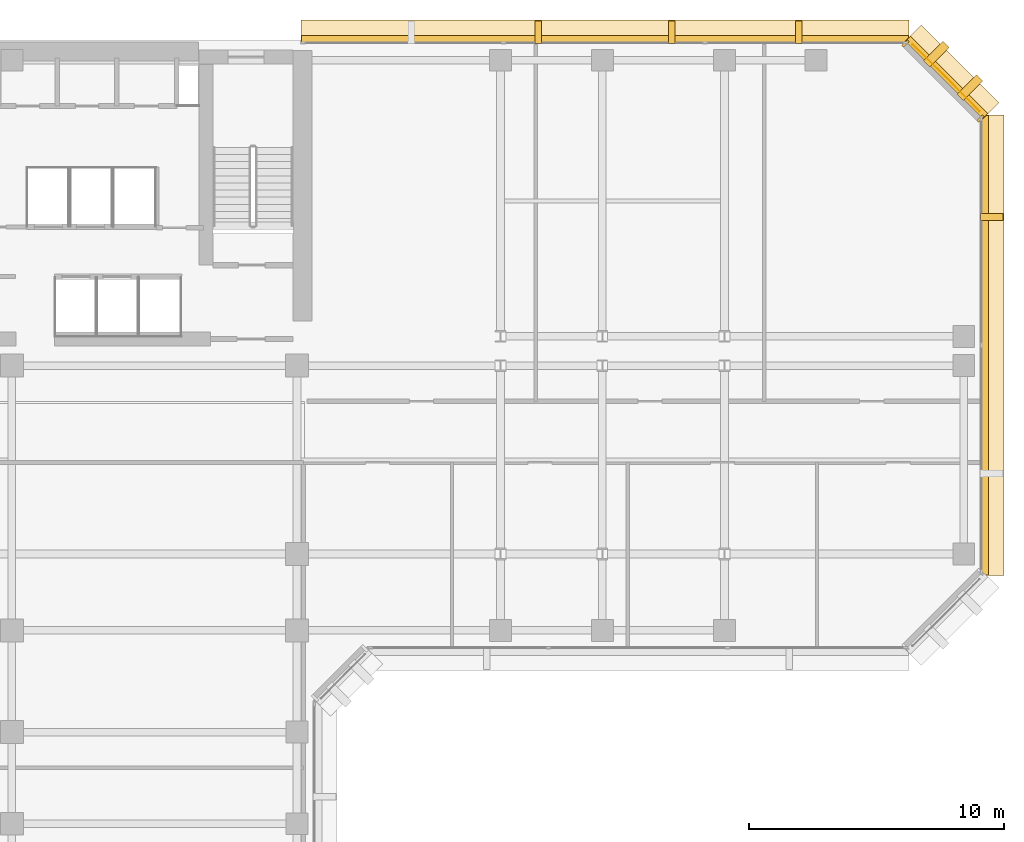
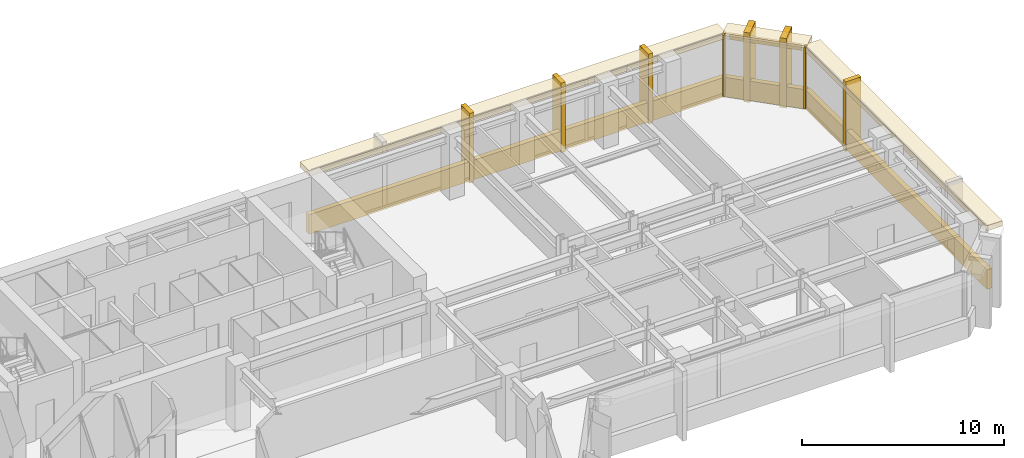
# One storey, part 11 of 11: 15 coverings.
"""IFC4 building model written with IfcOpenShell, lengths in metres."""

import ifcopenshell
import ifcopenshell.guid

model = None  # the IFC model being written
_history = None  # IfcOwnerHistory: only IFC2X3 demands one
_inside = {}  # id of a spatial element -> (the spatial element, [elements in it])
_under = {}  # id of a project, library or spatial element -> (it, [spatial elements below it])
_declared = {}  # id of a project -> (the project, [libraries it declares])
_typed = {}  # id of a type object -> (the type object, [elements of that type])
_made_of = {}  # id of a material, layer set ... -> (it, [elements and type objects made of it])


def new_model(schema):
    """Start an empty IFC model of exactly this schema.

    Asked for "IFC4X3", IfcOpenShell would pick the latest addendum, in which some entities
    have other attributes; the version numbers below select the first issue.
    IFC2X3 requires an IfcOwnerHistory on every rooted entity: one is made here for all.
    """
    global model, _history
    if schema == "IFC4X3":
        model = ifcopenshell.file(schema_version=(4, 3, 0, 0))
    else:
        model = ifcopenshell.file(schema=schema)
    _inside.clear()
    _under.clear()
    _declared.clear()
    _typed.clear()
    _made_of.clear()
    _history = None
    if model.schema == "IFC2X3":
        org = make("IfcOrganization", Name="unknown")
        user = make(
            "IfcPersonAndOrganization",
            ThePerson=make("IfcPerson", FamilyName="unknown"),
            TheOrganization=org,
        )
        app = make(
            "IfcApplication",
            ApplicationDeveloper=org,
            Version="unknown",
            ApplicationFullName="unknown",
            ApplicationIdentifier="unknown",
        )
        _history = make(
            "IfcOwnerHistory",
            OwningUser=user,
            OwningApplication=app,
            ChangeAction="ADDED",
            CreationDate=0,
        )
    return model


def make(cls, **values):
    """One entity of the class cls with the attributes given. An attribute that is None is left unset."""
    return model.create_entity(
        cls, **{name: value for name, value in values.items() if value is not None}
    )


def rooted(cls, **values):
    """An entity with a GlobalId (a new one), such as an element, a storey or a relation."""
    return make(cls, GlobalId=ifcopenshell.guid.new(), OwnerHistory=_history, **values)


def si_unit(unit_type, name, prefix=None):
    """IfcSIUnit, for example si_unit("LENGTHUNIT", "METRE", prefix="MILLI")."""
    return make("IfcSIUnit", UnitType=unit_type, Prefix=prefix, Name=name)


def assignment(units):
    """IfcUnitAssignment: the units of a project."""
    return None if units is None else make("IfcUnitAssignment", Units=units)


def point(xyz):
    """IfcCartesianPoint."""
    return None if xyz is None else make("IfcCartesianPoint", Coordinates=xyz)


def direction(xyz):
    """IfcDirection."""
    return None if xyz is None else make("IfcDirection", DirectionRatios=xyz)


def frame(location, z_axis=None, x_axis=None):
    """IfcAxis2Placement3D, a coordinate frame: its origin and axes. An axis left out is left unset."""
    return make(
        "IfcAxis2Placement3D",
        Location=point(location),
        Axis=direction(z_axis),
        RefDirection=direction(x_axis),
    )


def frame_2d(location, x_axis=None):
    """IfcAxis2Placement2D, a coordinate frame in the plane: its origin and x axis."""
    return make(
        "IfcAxis2Placement2D", Location=point(location), RefDirection=direction(x_axis)
    )


def origin():
    """The frame at (0, 0, 0) with its axes left unset."""
    return frame((0.0, 0.0, 0.0))


def origin_2d():
    """The frame at (0, 0) in the plane with its x axis left unset."""
    return frame_2d((0.0, 0.0))


def place(relative_to, where):
    """IfcLocalPlacement: puts the frame where relative to a parent placement (None: the world)."""
    return make(
        "IfcLocalPlacement", PlacementRelTo=relative_to, RelativePlacement=where
    )


def context(
    kind, dimensions, precision=None, world=None, true_north=None, identifier=None
):
    """IfcGeometricRepresentationContext, for example the 3D "Model" context."""
    return make(
        "IfcGeometricRepresentationContext",
        ContextIdentifier=identifier,
        ContextType=kind,
        CoordinateSpaceDimension=dimensions,
        Precision=precision,
        WorldCoordinateSystem=world,
        TrueNorth=true_north,
    )


def subcontext(parent, identifier, kind, view, scale=None):
    """IfcGeometricRepresentationSubContext, for example "Body" below "Model"."""
    return make(
        "IfcGeometricRepresentationSubContext",
        ContextIdentifier=identifier,
        ContextType=kind,
        ParentContext=parent,
        TargetScale=scale,
        TargetView=view,
    )


def project(units=None, contexts=None):
    """IfcProject with its units and contexts."""
    return rooted(
        "IfcProject",
        Name="project",
        RepresentationContexts=contexts,
        UnitsInContext=assignment(units),
    )


def spatial(cls, under=None, at=None, **own):
    """A site, building, storey or space (cls), placed at a placement, below another one or the project."""
    s = rooted(cls, ObjectPlacement=at, **own)
    if under is not None:
        _under.setdefault(under.id(), (under, []))[1].append(s)
    return s


def profile(cls, at=None, kind="AREA", **sizes):
    """A parametric profile (cls). Its sizes go by their IFC names, for example OverallWidth=200.0."""
    return make(cls, ProfileType=kind, Position=at, **sizes)


def rectangle(**sizes):
    """IfcRectangleProfileDef."""
    return profile("IfcRectangleProfileDef", **sizes)


def extrude(swept, where, along, depth):
    """IfcExtrudedAreaSolid: the profile swept, set in the frame where, extruded along a direction by depth."""
    return make(
        "IfcExtrudedAreaSolid",
        SweptArea=swept,
        Position=where,
        ExtrudedDirection=direction(along),
        Depth=depth,
    )


def shape(context_of_items, identifier, shape_type, items):
    """IfcShapeRepresentation: the items that make up one representation, for example the "Body"."""
    return make(
        "IfcShapeRepresentation",
        ContextOfItems=context_of_items,
        RepresentationIdentifier=identifier,
        RepresentationType=shape_type,
        Items=items,
    )


def material(Name=None, Category=None):
    """IfcMaterial."""
    return make("IfcMaterial", Name=Name, Category=Category)


def layer(
    of_material, thickness, ventilated=None, Name=None, Category=None, Priority=None
):
    """IfcMaterialLayer: one layer of a wall or slab, of a material (None: an air gap)."""
    return make(
        "IfcMaterialLayer",
        Material=of_material,
        LayerThickness=thickness,
        IsVentilated=ventilated,
        Name=Name,
        Category=Category,
        Priority=Priority,
    )


def layer_set(layers, Name=None):
    """IfcMaterialLayerSet."""
    return make("IfcMaterialLayerSet", MaterialLayers=layers, LayerSetName=Name)


def made_of(thing, what):
    """Note that an element or type object is made of a material, layer set ...; save() writes the relation."""
    if what is not None:
        _made_of.setdefault(what.id(), (what, []))[1].append(thing)
    return thing


def type_object(cls, material=None, **own):
    """A type object (cls), such as IfcWallType, which elements share."""
    return made_of(rooted(cls, **own), material)


def element(
    cls,
    number,
    at=None,
    inside=None,
    cuts=None,
    type_object=None,
    material=None,
    context=None,
    identifier="Body",
    shape_type=None,
    held_by="IfcProductDefinitionShape",
    body=None,
    shapes=None,
    **own,
):
    """One element of the class cls, such as IfcWall. Its Tag is "e" and its number.

    at: its placement. inside: the storey or other place that contains it. cuts: it is an
    opening in that element (IfcRelVoidsElement). A single representation is given by context,
    identifier, shape_type and body (its items); several are given by shapes. held_by: the class
    of the entity that holds the representations. save() writes the other relations.
    """
    e = rooted(cls, Tag="e%d" % number, ObjectPlacement=at, **own)
    if body is not None:
        shapes = [shape(context, identifier, shape_type, body)]
    if shapes is not None:
        e.Representation = make(held_by, Representations=shapes)
    if inside is not None:
        _inside.setdefault(inside.id(), (inside, []))[1].append(e)
    if cuts is not None:
        rooted(
            "IfcRelVoidsElement", RelatingBuildingElement=cuts, RelatedOpeningElement=e
        )
    if type_object is not None:
        _typed.setdefault(type_object.id(), (type_object, []))[1].append(e)
    return made_of(e, material)


def aggregate(whole, parts):
    """IfcRelAggregates: a whole, such as a stair, and the parts it consists of."""
    return rooted("IfcRelAggregates", RelatingObject=whole, RelatedObjects=parts)


def save(model, path):
    """Write the relations noted so far, then the file.

    IfcRelAggregates (storeys below a building ...), IfcRelContainedInSpatialStructure (elements
    in a storey), IfcRelDefinesByType, IfcRelAssociatesMaterial and IfcRelDeclares: one each for
    every whole, place, type object, material and project.
    """
    for whole, parts in _under.values():
        aggregate(whole, parts)
    for where, things in _inside.values():
        rooted(
            "IfcRelContainedInSpatialStructure",
            RelatedElements=things,
            RelatingStructure=where,
        )
    for kind, things in _typed.values():
        rooted("IfcRelDefinesByType", RelatedObjects=things, RelatingType=kind)
    for what, things in _made_of.values():
        rooted("IfcRelAssociatesMaterial", RelatedObjects=things, RelatingMaterial=what)
    for by, libraries in _declared.values():
        rooted("IfcRelDeclares", RelatingContext=by, RelatedDefinitions=libraries)
    model.write(path)


model = new_model("IFC4")

# Units and contexts
model_context = context("Model", 3, precision=1e-05, world=origin(), true_north=direction((0.0, 1.0)))
body_context = subcontext(model_context, "Body", "Model", "MODEL_VIEW")
ifc_project = project(units=[si_unit("LENGTHUNIT", "METRE"), si_unit("AREAUNIT", "SQUARE_METRE"), si_unit("VOLUMEUNIT", "CUBIC_METRE"), si_unit("PLANEANGLEUNIT", "RADIAN"), si_unit("MASSUNIT", "GRAM", prefix="KILO")], contexts=[model_context])

# Site, building, storey
site_placement = place(None, origin())
site = spatial("IfcSite", under=ifc_project, at=site_placement, CompositionType="ELEMENT")
building_placement = place(site_placement, origin())
building = spatial("IfcBuilding", under=site, at=building_placement, Name="Kefirva Bronze Tower", CompositionType="ELEMENT")
storey_placement = place(building_placement, frame((0.0, 0.0, 158.72998046875)))
storey = spatial("IfcBuildingStorey", under=building, at=storey_placement, Name="L38", CompositionType="ELEMENT", Elevation=158.72998046875)

# Coverings
ifc_material = material(Name="Bronze anodised aluminium", Category="aluminium")
ifc_layer_1 = layer(ifc_material, 0.02001953125, Name="Bronze anodised aluminium")
ifc_layer_set_1 = layer_set([ifc_layer_1], Name="Bronze anodised aluminium")
covering_type_1 = type_object("IfcCoveringType", Name="Anodised Bronze Spandrel Cladding 20mm", PredefinedType="CLADDING", material=ifc_layer_set_1)
covering_1_placement = place(storey_placement, frame((50.239990234375, 34.0, -0.16015625), z_axis=(0.0, 0.0, 1.0), x_axis=(0.0, 1.0, 0.0)))
element("IfcCovering", 1, at=covering_1_placement, inside=storey, type_object=covering_type_1, Name="L38 Streamline Horizontal Spandrel Band 6", PredefinedType="CLADDING", context=body_context, shape_type="SweptSolid", body=[
    extrude(rectangle(XDim=18.0400390625, YDim=0.280029296875, at=origin_2d()), origin(), (0.0, 0.0, 1.0), 1.179931640625),
])
covering_2_placement = place(storey_placement, frame((48.70703125, 44.507080078125, 3.2900390625), z_axis=(0.0, 0.0, 1.0), x_axis=(-0.707106781187, 0.707106781187, 0.0)))
element("IfcCovering", 2, at=covering_2_placement, inside=storey, type_object=covering_type_1, Name="L38 Bronze Spandrel Cladding 4", PredefinedType="CLADDING", context=body_context, shape_type="SweptSolid", body=[
    extrude(rectangle(XDim=3.719482421875, YDim=0.02001953125, at=origin_2d()), origin(), (0.0, 0.0, 1.0), 0.39990234375),
])
for number, where, z_axis, x_axis, name in (
    (3, (50.06201171875, 42.91162109375, 0.0), (0.0, 0.0, 1.0), (-0.707106781187, 0.707106781187, 0.0), "L38 Facade Joint Closure Panel 4S"),
    (4, (47.11181640625, 45.862060546875, 0.0), (0.0, 0.0, 1.0), (-0.707106781187, 0.707106781187, 0.0), "L38 Facade Joint Closure Panel 4E"),
):
    element("IfcCovering", number, at=place(storey_placement, frame(where, z_axis=z_axis, x_axis=x_axis)), inside=storey, type_object=covering_type_1, Name=name, PredefinedType="CLADDING", context=body_context, shape_type="SweptSolid", body=[
        extrude(rectangle(XDim=0.10009765625, YDim=0.320068359375, at=origin_2d()), origin(), (0.0, 0.0, 1.0), 3.7099609375),
    ])
covering_3_placement = place(storey_placement, frame((48.728271484375, 44.5283203125, -0.16015625), z_axis=(0.0, 0.0, 1.0), x_axis=(-0.707106781187, 0.707106781187, 0.0)))
element("IfcCovering", 5, at=covering_3_placement, inside=storey, type_object=covering_type_1, Name="L38 Streamline Horizontal Spandrel Band 7", PredefinedType="CLADDING", context=body_context, shape_type="SweptSolid", body=[
    extrude(rectangle(XDim=4.28271484375, YDim=0.280029296875, at=origin_2d()), origin(), (0.0, 0.0, 1.0), 1.179931640625),
])
covering_4_placement = place(storey_placement, frame((35.302490234375, 46.0400390625, -0.16015625), z_axis=(0.0, 0.0, 1.0), x_axis=(-1.0, 0.0, 0.0)))
element("IfcCovering", 6, at=covering_4_placement, inside=storey, type_object=covering_type_1, Name="L38 Streamline Horizontal Spandrel Band 8", PredefinedType="CLADDING", context=body_context, shape_type="SweptSolid", body=[
    extrude(rectangle(XDim=23.8349609375, YDim=0.280029296875, at=origin_2d()), origin(), (0.0, 0.0, 1.0), 1.179931640625),
])
ifc_layer_2 = layer(ifc_material, 0.179931640625, Name="Bronze anodised aluminium")
ifc_layer_set_2 = layer_set([ifc_layer_2], Name="Bronze anodised aluminium")
covering_type_2 = type_object("IfcCoveringType", Name="Streamline Bronze Sunshade Eyebrow Cladding 180mm", PredefinedType="CLADDING", material=ifc_layer_set_2)
covering_5_placement = place(storey_placement, frame((50.510009765625, 34.0, 3.39013671875), z_axis=(0.0, 0.0, 1.0), x_axis=(0.0, 1.0, 0.0)))
element("IfcCovering", 7, at=covering_5_placement, inside=storey, type_object=covering_type_2, Name="L38 Streamline Bronze Sunshade Eyebrow 6", PredefinedType="CLADDING", context=body_context, shape_type="SweptSolid", body=[
    extrude(rectangle(XDim=18.080078125, YDim=0.93994140625, at=origin_2d()), origin(), (0.0, 0.0, 1.0), 0.320068359375),
])
covering_6_placement = place(storey_placement, frame((48.919189453125, 44.71923828125, 3.39013671875), z_axis=(0.0, 0.0, 1.0), x_axis=(-0.707106781187, 0.707106781187, 0.0)))
element("IfcCovering", 8, at=covering_6_placement, inside=storey, type_object=covering_type_2, Name="L38 Streamline Bronze Sunshade Eyebrow 7", PredefinedType="CLADDING", context=body_context, shape_type="SweptSolid", body=[
    extrude(rectangle(XDim=4.322509765625, YDim=0.93994140625, at=origin_2d()), origin(), (0.0, 0.0, 1.0), 0.320068359375),
])
covering_7_placement = place(storey_placement, frame((35.302490234375, 46.31005859375, 3.39013671875), z_axis=(0.0, 0.0, 1.0), x_axis=(-1.0, 0.0, 0.0)))
element("IfcCovering", 9, at=covering_7_placement, inside=storey, type_object=covering_type_2, Name="L38 Streamline Bronze Sunshade Eyebrow 8", PredefinedType="CLADDING", context=body_context, shape_type="SweptSolid", body=[
    extrude(rectangle(XDim=23.875, YDim=0.93994140625, at=origin_2d()), origin(), (0.0, 0.0, 1.0), 0.320068359375),
])
ifc_layer_3 = layer(ifc_material, 0.260009765625, Name="Bronze anodised aluminium")
ifc_layer_set_3 = layer_set([ifc_layer_3], Name="Bronze anodised aluminium")
covering_type_3 = type_object("IfcCoveringType", Name="Unbroken Bronze Buttress Fin Cladding 260mm", PredefinedType="CLADDING", material=ifc_layer_set_3)
covering_8_placement = place(storey_placement, frame((50.5, 39.0400390625, -0.25), z_axis=(0.0, 0.0, 1.0), x_axis=(0.0, 1.0, 0.0)))
element("IfcCovering", 10, at=covering_8_placement, inside=storey, type_object=covering_type_3, Name="L38 Unbroken Vertical Bronze Rib Fin 14", PredefinedType="CLADDING", context=body_context, shape_type="SweptSolid", body=[
    extrude(rectangle(XDim=0.260009765625, YDim=0.8798828125, at=origin_2d()), origin(), (0.0, 0.0, 1.0), 4.2099609375),
])
for number, where, z_axis, x_axis, name in (
    (11, (49.642822265625, 44.122802734375, -0.25), (0.0, 0.0, 1.0), (-0.707106781187, 0.707106781187, 0.0), "L38 Chamfered Corner Buttress Fin Cladding 15"),
    (12, (48.32275390625, 45.44287109375, -0.25), (0.0, 0.0, 1.0), (-0.707106781187, 0.707106781187, 0.0), "L38 Chamfered Corner Buttress Fin Cladding 16"),
):
    element("IfcCovering", number, at=place(storey_placement, frame(where, z_axis=z_axis, x_axis=x_axis)), inside=storey, type_object=covering_type_3, Name=name, PredefinedType="CLADDING", context=body_context, shape_type="SweptSolid", body=[
        extrude(rectangle(XDim=0.340087890625, YDim=1.080078125, at=origin_2d()), origin(), (0.0, 0.0, 1.0), 4.2099609375),
    ])
for number, where, z_axis, x_axis, name in (
    (13, (42.9169921875, 46.300048828125, -0.25), (0.0, 0.0, 1.0), (-1.0, 0.0, 0.0), "L38 Unbroken Vertical Bronze Rib Fin 17"),
    (14, (37.919921875, 46.300048828125, -0.25), (0.0, 0.0, 1.0), (-1.0, 0.0, 0.0), "L38 Unbroken Vertical Bronze Rib Fin 18"),
    (15, (32.68505859375, 46.300048828125, -0.25), (0.0, 0.0, 1.0), (-1.0, 0.0, 0.0), "L38 Unbroken Vertical Bronze Rib Fin 19"),
):
    element("IfcCovering", number, at=place(storey_placement, frame(where, z_axis=z_axis, x_axis=x_axis)), inside=storey, type_object=covering_type_3, Name=name, PredefinedType="CLADDING", context=body_context, shape_type="SweptSolid", body=[
        extrude(rectangle(XDim=0.260009765625, YDim=0.8798828125, at=origin_2d()), origin(), (0.0, 0.0, 1.0), 4.2099609375),
    ])

save(model, "model.ifc")
